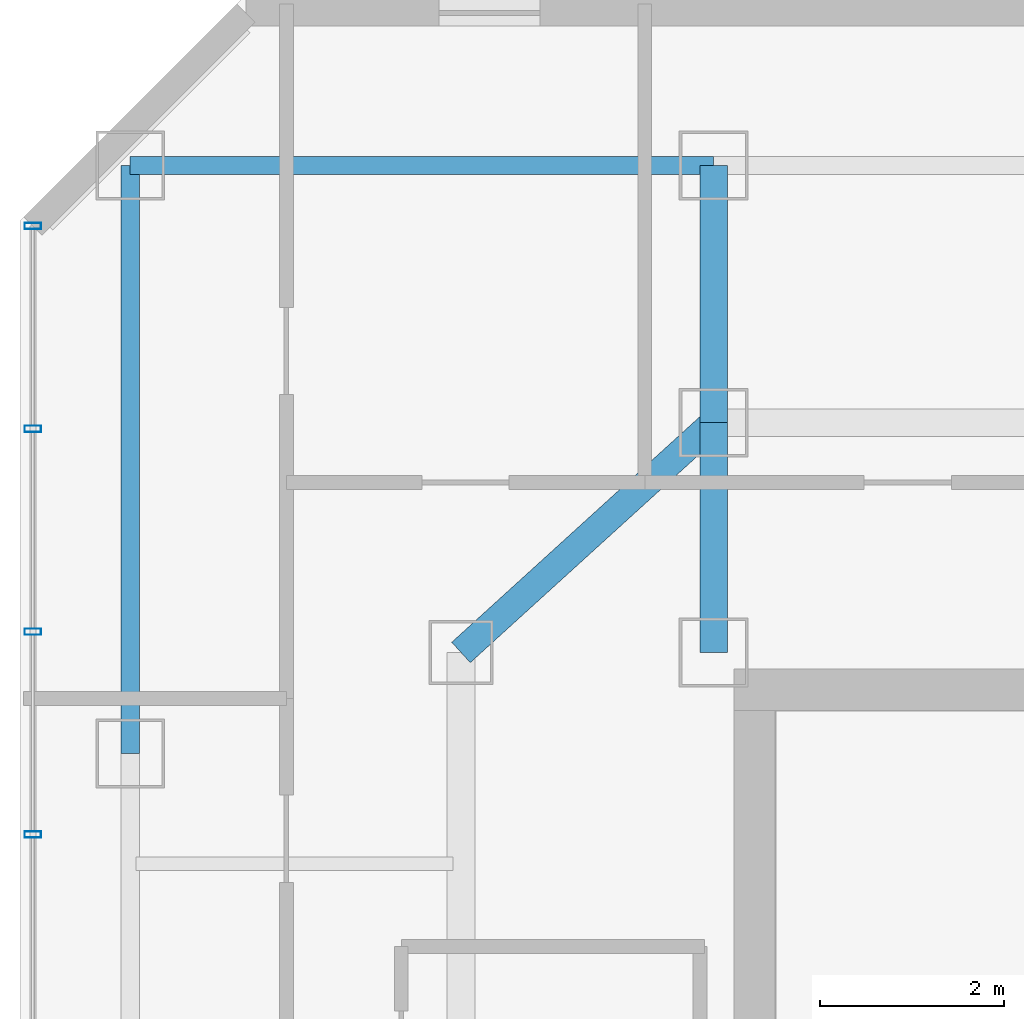
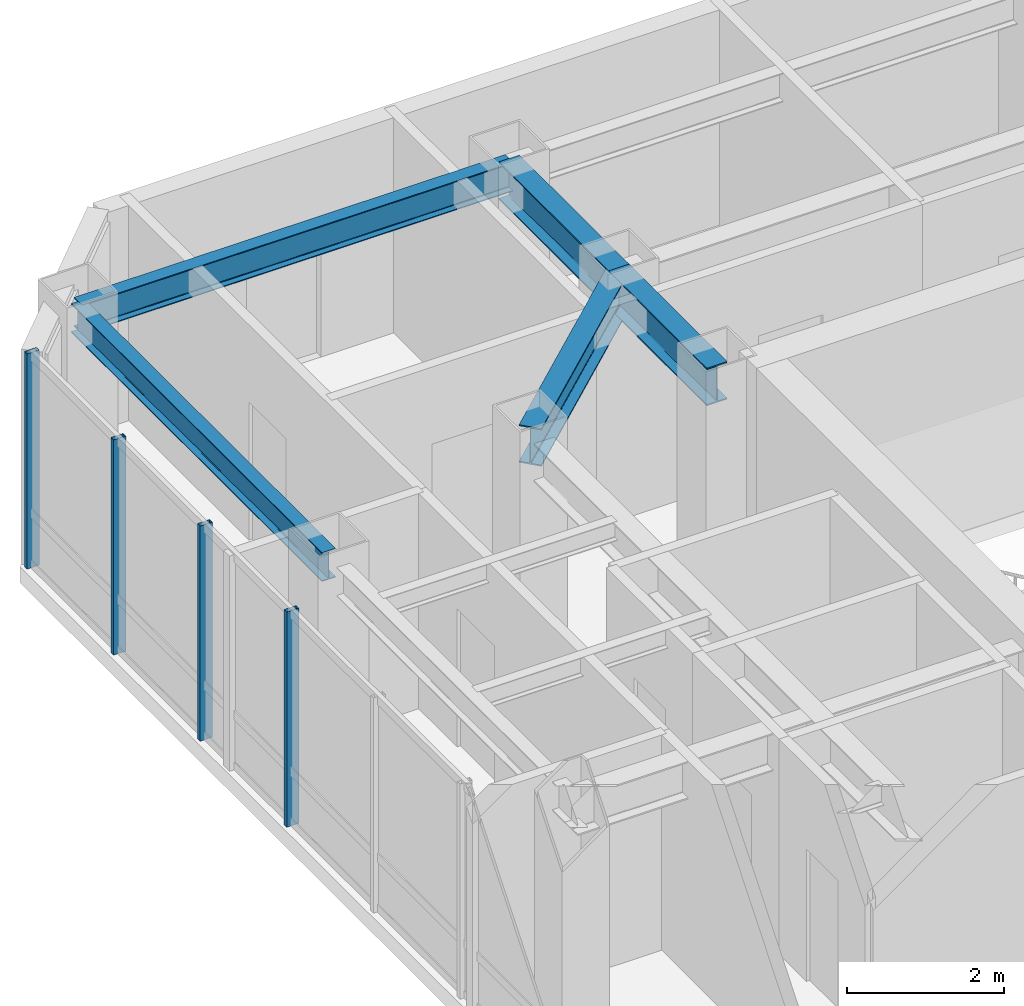
# One storey, part 15 of 26: 5 beams, 4 members, 1 element without a shape of its own.
"""IFC4 building model written with IfcOpenShell, lengths in metres."""

from ifc_helpers import new_model, si_unit, direction, frame, origin, origin_2d, place, context, subcontext, project, spatial, hollow_rectangle, i_section, extrude, material, layer, layer_set, material_profile, profile_set, type_object, element, aggregate, save


model = new_model("IFC4")

# Units and contexts
model_context = context("Model", 3, precision=1e-05, world=origin(), true_north=direction((0.0, 1.0)))
body_context = subcontext(model_context, "Body", "Model", "MODEL_VIEW")
ifc_project = project(units=[si_unit("LENGTHUNIT", "METRE"), si_unit("AREAUNIT", "SQUARE_METRE"), si_unit("VOLUMEUNIT", "CUBIC_METRE"), si_unit("PLANEANGLEUNIT", "RADIAN"), si_unit("MASSUNIT", "GRAM", prefix="KILO")], contexts=[model_context])

# Site, building, storey
site_placement = place(None, origin())
site = spatial("IfcSite", under=ifc_project, at=site_placement, CompositionType="ELEMENT")
building_placement = place(site_placement, origin())
building = spatial("IfcBuilding", under=site, at=building_placement, Name="Hatsunagi Terrace Concourse", CompositionType="ELEMENT")
storey_placement = place(building_placement, frame((0.0, 0.0, 195.14990234375)))
storey = spatial("IfcBuildingStorey", under=building, at=storey_placement, Name="L51", CompositionType="ELEMENT", Elevation=195.14990234375)

# Curtain wall, members
ifc_material_1 = material(Name="Anodised Aluminium Alloy 6063-T5", Category="aluminium")
ifc_layer = layer(ifc_material_1, 0.199951171875)
ifc_layer_set = layer_set([ifc_layer], Name="OfficeZone2_CW04")
curtain_wall_type = type_object("IfcCurtainWallType", Name="OfficeZone2_CW04", PredefinedType="NOTDEFINED", material=ifc_layer_set)
curtain_wall_placement = place(storey_placement, origin())
curtain_wall = element("IfcCurtainWall", 1, at=curtain_wall_placement, inside=storey, type_object=curtain_wall_type, Name="Unitised Curtain Wall CW-04 CW-L51-08", PredefinedType="NOTDEFINED")
ifc_material_2 = material(Name="Anodised Aluminium Alloy 6063-T5", Category="aluminium")
ifc_material_profile_1 = material_profile(ifc_material_2, hollow_rectangle(XDim=0.070068359375, YDim=0.179931640625, WallThickness=0.00390625, at=origin_2d()), Name="ALU-MUL-180x70x4")
ifc_profile_set_1 = profile_set([ifc_material_profile_1], Name="Anodised Aluminium Alloy 6063-T5")
member_type = type_object("IfcMemberType", Name="CurtainWallMullion_180x70", PredefinedType="MULLION", material=ifc_profile_set_1)
member_1_placement = place(storey_placement, frame((18.139892578125, 41.31689453125, 0.0), z_axis=(0.0, 0.0, 1.0), x_axis=(0.0, 1.0, 0.0)))
member_1 = element("IfcMember", 2, at=member_1_placement, type_object=member_type, Name="Curtain Wall Mullion MUL-02", PredefinedType="MULLION", context=body_context, shape_type="SweptSolid", body=[
    extrude(hollow_rectangle(XDim=0.070068359375, YDim=0.179931640625, WallThickness=0.00390625, at=origin_2d()), origin(), (0.0, 0.0, 1.0), 3.35009765625),
])
member_2_placement = place(storey_placement, frame((18.139892578125, 43.52490234375, 0.0), z_axis=(0.0, 0.0, 1.0), x_axis=(0.0, 1.0, 0.0)))
member_2 = element("IfcMember", 3, at=member_2_placement, type_object=member_type, Name="Curtain Wall Mullion MUL-02", PredefinedType="MULLION", context=body_context, shape_type="SweptSolid", body=[
    extrude(hollow_rectangle(XDim=0.070068359375, YDim=0.179931640625, WallThickness=0.00390625, at=origin_2d()), origin(), (0.0, 0.0, 1.0), 3.35009765625),
])
member_3_placement = place(storey_placement, frame((18.139892578125, 45.73388671875, 0.0), z_axis=(0.0, 0.0, 1.0), x_axis=(0.0, 1.0, 0.0)))
member_3 = element("IfcMember", 4, at=member_3_placement, type_object=member_type, Name="Curtain Wall Mullion MUL-02", PredefinedType="MULLION", context=body_context, shape_type="SweptSolid", body=[
    extrude(hollow_rectangle(XDim=0.070068359375, YDim=0.179931640625, WallThickness=0.00390625, at=origin_2d()), origin(), (0.0, 0.0, 1.0), 3.35009765625),
])
member_4_placement = place(storey_placement, frame((18.139892578125, 47.94189453125, 0.0), z_axis=(0.0, 0.0, 1.0), x_axis=(0.0, 1.0, 0.0)))
member_4 = element("IfcMember", 5, at=member_4_placement, type_object=member_type, Name="Curtain Wall Mullion MUL-02", PredefinedType="MULLION", context=body_context, shape_type="SweptSolid", body=[
    extrude(hollow_rectangle(XDim=0.070068359375, YDim=0.179931640625, WallThickness=0.00390625, at=origin_2d()), origin(), (0.0, 0.0, 1.0), 3.35009765625),
])
aggregate(curtain_wall, [member_1, member_2, member_3, member_4])

# Beams
ifc_material_3 = material(Name="Steel SN490B", Category="steel")
ifc_material_profile_2 = material_profile(ifc_material_3, i_section(OverallWidth=0.300048828125, OverallDepth=0.587890625, WebThickness=0.011962890625, FlangeThickness=0.02001953125, FilletRadius=0.01806640625, at=origin_2d()), Name="H-588x300x12x20")
ifc_profile_set_2 = profile_set([ifc_material_profile_2], Name="Steel SN490B")
beam_type_1 = type_object("IfcBeamType", Name="OfficeHighGirder_H_588x300", PredefinedType="BEAM", material=ifc_profile_set_2)
beam_1_placement = place(storey_placement, frame((25.550048828125, 43.300048828125, 3.05615234375), z_axis=(0.0, 1.0, 0.0), x_axis=(-1.0, 0.0, 0.0)))
element("IfcBeam", 6, at=beam_1_placement, inside=storey, type_object=beam_type_1, Name="Beam G-06 BM-L51-CN1", PredefinedType="BEAM", context=body_context, shape_type="SweptSolid", body=[
    extrude(i_section(OverallWidth=0.300048828125, OverallDepth=0.587890625, WebThickness=0.011962890625, FlangeThickness=0.02001953125, FilletRadius=0.01806640625, at=origin_2d()), origin(), (0.0, 0.0, 1.0), 2.5),
])
beam_2_placement = place(storey_placement, frame((25.550048828125, 45.800048828125, 3.05615234375), z_axis=(0.0, 1.0, 0.0), x_axis=(-1.0, 0.0, 0.0)))
element("IfcBeam", 7, at=beam_2_placement, inside=storey, type_object=beam_type_1, Name="Beam G-06 BM-L51-KN-WN4", PredefinedType="BEAM", context=body_context, shape_type="SweptSolid", body=[
    extrude(i_section(OverallWidth=0.300048828125, OverallDepth=0.587890625, WebThickness=0.011962890625, FlangeThickness=0.02001953125, FilletRadius=0.01806640625, at=origin_2d()), origin(), (0.0, 0.0, 1.0), 2.800048828125),
])
beam_3_placement = place(storey_placement, frame((22.800048828125, 43.300048828125, 3.05615234375), z_axis=(0.739940073396, 0.672672793996, 0.0), x_axis=(-0.672672793996, 0.739940073396, 0.0)))
element("IfcBeam", 8, at=beam_3_placement, inside=storey, type_object=beam_type_1, Name="Beam G-06 BM-L51-CWEW-N", PredefinedType="BEAM", context=body_context, shape_type="SweptSolid", body=[
    extrude(i_section(OverallWidth=0.300048828125, OverallDepth=0.587890625, WebThickness=0.011962890625, FlangeThickness=0.02001953125, FilletRadius=0.01806640625, at=origin_2d()), origin(), (0.0, 0.0, 1.0), 3.716552734375),
])
ifc_material_4 = material(Name="Steel SN490B", Category="steel")
ifc_material_profile_3 = material_profile(ifc_material_4, i_section(OverallWidth=0.199951171875, OverallDepth=0.449951171875, WebThickness=0.009033203125, FlangeThickness=0.013916015625, FilletRadius=0.01611328125, at=origin_2d()), Name="H-450x200x9x14")
ifc_profile_set_3 = profile_set([ifc_material_profile_3], Name="Steel SN490B")
beam_type_2 = type_object("IfcBeamType", Name="PerimeterSpandrel_H_450x200", PredefinedType="SPANDREL", material=ifc_profile_set_3)
beam_4_placement = place(storey_placement, frame((19.199951171875, 48.60009765625, 3.125), z_axis=(1.0, 0.0, 0.0), x_axis=(0.0, 1.0, 0.0)))
element("IfcBeam", 9, at=beam_4_placement, inside=storey, type_object=beam_type_2, Name="Beam SP-02 BM-L51-WN-19", PredefinedType="SPANDREL", context=body_context, shape_type="SweptSolid", body=[
    extrude(i_section(OverallWidth=0.199951171875, OverallDepth=0.449951171875, WebThickness=0.009033203125, FlangeThickness=0.013916015625, FilletRadius=0.01611328125, at=origin_2d()), origin(), (0.0, 0.0, 1.0), 6.35009765625),
])
beam_5_placement = place(storey_placement, frame((19.199951171875, 42.199951171875, 3.125), z_axis=(0.0, 1.0, 0.0), x_axis=(-1.0, 0.0, 0.0)))
element("IfcBeam", 10, at=beam_5_placement, inside=storey, type_object=beam_type_2, Name="Beam SP-02 BM-L51-NS-19-42", PredefinedType="SPANDREL", context=body_context, shape_type="SweptSolid", body=[
    extrude(i_section(OverallWidth=0.199951171875, OverallDepth=0.449951171875, WebThickness=0.009033203125, FlangeThickness=0.013916015625, FilletRadius=0.01611328125, at=origin_2d()), origin(), (0.0, 0.0, 1.0), 6.400146484375),
])

save(model, "model.ifc")
